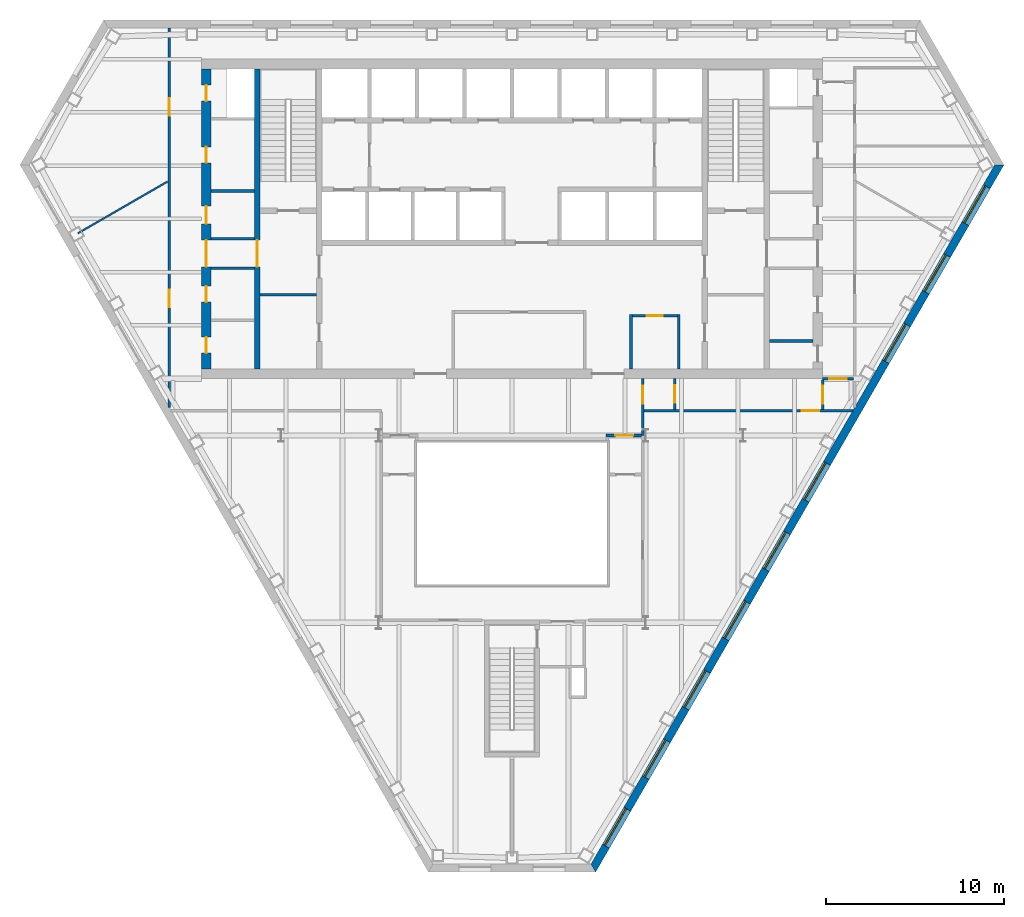
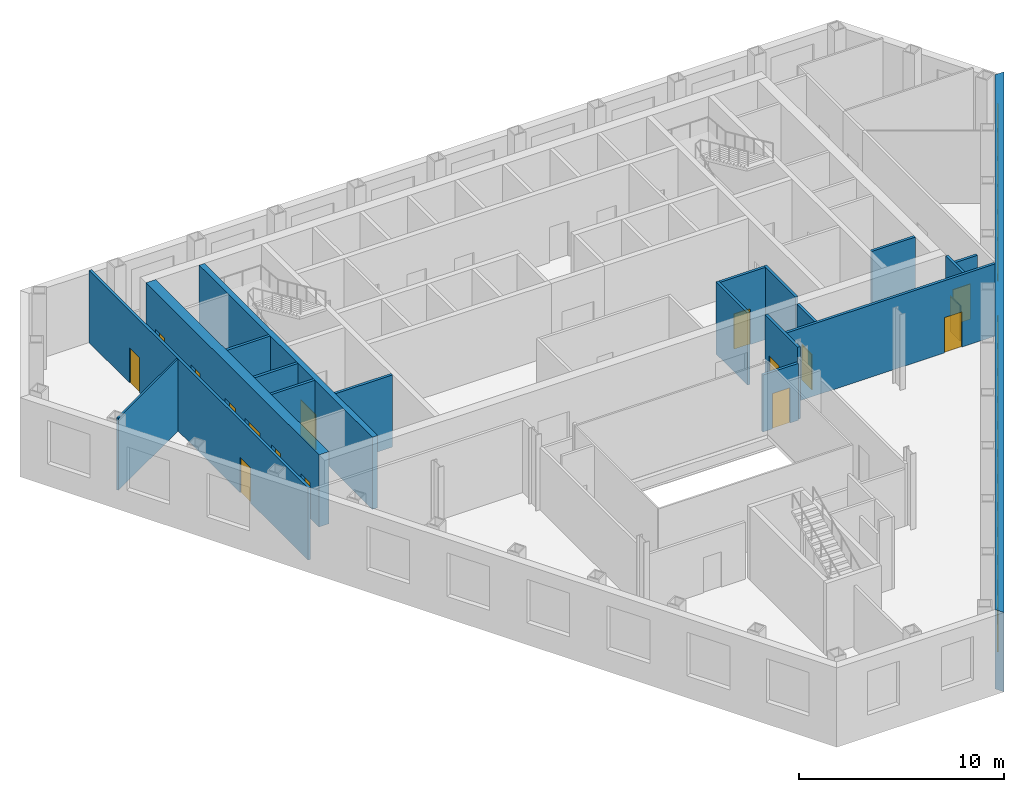
# One storey, part 5 of 11: 19 walls, 16 doors, 9 windows, 25 openings.
"""IFC4 building model written with IfcOpenShell, lengths in metres."""

import ifcopenshell
import ifcopenshell.guid

model = None  # the IFC model being written
_history = None  # IfcOwnerHistory: only IFC2X3 demands one
_inside = {}  # id of a spatial element -> (the spatial element, [elements in it])
_under = {}  # id of a project, library or spatial element -> (it, [spatial elements below it])
_declared = {}  # id of a project -> (the project, [libraries it declares])
_typed = {}  # id of a type object -> (the type object, [elements of that type])
_made_of = {}  # id of a material, layer set ... -> (it, [elements and type objects made of it])


def new_model(schema):
    """Start an empty IFC model of exactly this schema.

    Asked for "IFC4X3", IfcOpenShell would pick the latest addendum, in which some entities
    have other attributes; the version numbers below select the first issue.
    IFC2X3 requires an IfcOwnerHistory on every rooted entity: one is made here for all.
    """
    global model, _history
    if schema == "IFC4X3":
        model = ifcopenshell.file(schema_version=(4, 3, 0, 0))
    else:
        model = ifcopenshell.file(schema=schema)
    _inside.clear()
    _under.clear()
    _declared.clear()
    _typed.clear()
    _made_of.clear()
    _history = None
    if model.schema == "IFC2X3":
        org = make("IfcOrganization", Name="unknown")
        user = make(
            "IfcPersonAndOrganization",
            ThePerson=make("IfcPerson", FamilyName="unknown"),
            TheOrganization=org,
        )
        app = make(
            "IfcApplication",
            ApplicationDeveloper=org,
            Version="unknown",
            ApplicationFullName="unknown",
            ApplicationIdentifier="unknown",
        )
        _history = make(
            "IfcOwnerHistory",
            OwningUser=user,
            OwningApplication=app,
            ChangeAction="ADDED",
            CreationDate=0,
        )
    return model


def make(cls, **values):
    """One entity of the class cls with the attributes given. An attribute that is None is left unset."""
    return model.create_entity(
        cls, **{name: value for name, value in values.items() if value is not None}
    )


def rooted(cls, **values):
    """An entity with a GlobalId (a new one), such as an element, a storey or a relation."""
    return make(cls, GlobalId=ifcopenshell.guid.new(), OwnerHistory=_history, **values)


def si_unit(unit_type, name, prefix=None):
    """IfcSIUnit, for example si_unit("LENGTHUNIT", "METRE", prefix="MILLI")."""
    return make("IfcSIUnit", UnitType=unit_type, Prefix=prefix, Name=name)


def assignment(units):
    """IfcUnitAssignment: the units of a project."""
    return None if units is None else make("IfcUnitAssignment", Units=units)


def point(xyz):
    """IfcCartesianPoint."""
    return None if xyz is None else make("IfcCartesianPoint", Coordinates=xyz)


def direction(xyz):
    """IfcDirection."""
    return None if xyz is None else make("IfcDirection", DirectionRatios=xyz)


def frame(location, z_axis=None, x_axis=None):
    """IfcAxis2Placement3D, a coordinate frame: its origin and axes. An axis left out is left unset."""
    return make(
        "IfcAxis2Placement3D",
        Location=point(location),
        Axis=direction(z_axis),
        RefDirection=direction(x_axis),
    )


def frame_2d(location, x_axis=None):
    """IfcAxis2Placement2D, a coordinate frame in the plane: its origin and x axis."""
    return make(
        "IfcAxis2Placement2D", Location=point(location), RefDirection=direction(x_axis)
    )


def origin():
    """The frame at (0, 0, 0) with its axes left unset."""
    return frame((0.0, 0.0, 0.0))


def place(relative_to, where):
    """IfcLocalPlacement: puts the frame where relative to a parent placement (None: the world)."""
    return make(
        "IfcLocalPlacement", PlacementRelTo=relative_to, RelativePlacement=where
    )


def context(
    kind, dimensions, precision=None, world=None, true_north=None, identifier=None
):
    """IfcGeometricRepresentationContext, for example the 3D "Model" context."""
    return make(
        "IfcGeometricRepresentationContext",
        ContextIdentifier=identifier,
        ContextType=kind,
        CoordinateSpaceDimension=dimensions,
        Precision=precision,
        WorldCoordinateSystem=world,
        TrueNorth=true_north,
    )


def subcontext(parent, identifier, kind, view, scale=None):
    """IfcGeometricRepresentationSubContext, for example "Body" below "Model"."""
    return make(
        "IfcGeometricRepresentationSubContext",
        ContextIdentifier=identifier,
        ContextType=kind,
        ParentContext=parent,
        TargetScale=scale,
        TargetView=view,
    )


def project(units=None, contexts=None):
    """IfcProject with its units and contexts."""
    return rooted(
        "IfcProject",
        Name="project",
        RepresentationContexts=contexts,
        UnitsInContext=assignment(units),
    )


def spatial(cls, under=None, at=None, **own):
    """A site, building, storey or space (cls), placed at a placement, below another one or the project."""
    s = rooted(cls, ObjectPlacement=at, **own)
    if under is not None:
        _under.setdefault(under.id(), (under, []))[1].append(s)
    return s


def polyline(points):
    """IfcPolyline through the points."""
    return make("IfcPolyline", Points=[point(p) for p in points])


def profile(cls, at=None, kind="AREA", **sizes):
    """A parametric profile (cls). Its sizes go by their IFC names, for example OverallWidth=200.0."""
    return make(cls, ProfileType=kind, Position=at, **sizes)


def rectangle(**sizes):
    """IfcRectangleProfileDef."""
    return profile("IfcRectangleProfileDef", **sizes)


def outline(outer, holes=None, kind="AREA"):
    """IfcArbitraryClosedProfileDef: a profile drawn as a closed curve; with holes, ...WithVoids."""
    if holes is None:
        return make("IfcArbitraryClosedProfileDef", ProfileType=kind, OuterCurve=outer)
    return make(
        "IfcArbitraryProfileDefWithVoids",
        ProfileType=kind,
        OuterCurve=outer,
        InnerCurves=holes,
    )


def extrude(swept, where, along, depth):
    """IfcExtrudedAreaSolid: the profile swept, set in the frame where, extruded along a direction by depth."""
    return make(
        "IfcExtrudedAreaSolid",
        SweptArea=swept,
        Position=where,
        ExtrudedDirection=direction(along),
        Depth=depth,
    )


def shape(context_of_items, identifier, shape_type, items):
    """IfcShapeRepresentation: the items that make up one representation, for example the "Body"."""
    return make(
        "IfcShapeRepresentation",
        ContextOfItems=context_of_items,
        RepresentationIdentifier=identifier,
        RepresentationType=shape_type,
        Items=items,
    )


def material(Name=None, Category=None):
    """IfcMaterial."""
    return make("IfcMaterial", Name=Name, Category=Category)


def layer(
    of_material, thickness, ventilated=None, Name=None, Category=None, Priority=None
):
    """IfcMaterialLayer: one layer of a wall or slab, of a material (None: an air gap)."""
    return make(
        "IfcMaterialLayer",
        Material=of_material,
        LayerThickness=thickness,
        IsVentilated=ventilated,
        Name=Name,
        Category=Category,
        Priority=Priority,
    )


def layer_set(layers, Name=None):
    """IfcMaterialLayerSet."""
    return make("IfcMaterialLayerSet", MaterialLayers=layers, LayerSetName=Name)


def made_of(thing, what):
    """Note that an element or type object is made of a material, layer set ...; save() writes the relation."""
    if what is not None:
        _made_of.setdefault(what.id(), (what, []))[1].append(thing)
    return thing


def type_object(cls, material=None, **own):
    """A type object (cls), such as IfcWallType, which elements share."""
    return made_of(rooted(cls, **own), material)


def element(
    cls,
    number,
    at=None,
    inside=None,
    cuts=None,
    type_object=None,
    material=None,
    context=None,
    identifier="Body",
    shape_type=None,
    held_by="IfcProductDefinitionShape",
    body=None,
    shapes=None,
    **own,
):
    """One element of the class cls, such as IfcWall. Its Tag is "e" and its number.

    at: its placement. inside: the storey or other place that contains it. cuts: it is an
    opening in that element (IfcRelVoidsElement). A single representation is given by context,
    identifier, shape_type and body (its items); several are given by shapes. held_by: the class
    of the entity that holds the representations. save() writes the other relations.
    """
    e = rooted(cls, Tag="e%d" % number, ObjectPlacement=at, **own)
    if body is not None:
        shapes = [shape(context, identifier, shape_type, body)]
    if shapes is not None:
        e.Representation = make(held_by, Representations=shapes)
    if inside is not None:
        _inside.setdefault(inside.id(), (inside, []))[1].append(e)
    if cuts is not None:
        rooted(
            "IfcRelVoidsElement", RelatingBuildingElement=cuts, RelatedOpeningElement=e
        )
    if type_object is not None:
        _typed.setdefault(type_object.id(), (type_object, []))[1].append(e)
    return made_of(e, material)


def fill(opening, filler):
    """IfcRelFillsElement: the door or window that sits in an opening."""
    return rooted(
        "IfcRelFillsElement",
        RelatingOpeningElement=opening,
        RelatedBuildingElement=filler,
    )


def aggregate(whole, parts):
    """IfcRelAggregates: a whole, such as a stair, and the parts it consists of."""
    return rooted("IfcRelAggregates", RelatingObject=whole, RelatedObjects=parts)


def save(model, path):
    """Write the relations noted so far, then the file.

    IfcRelAggregates (storeys below a building ...), IfcRelContainedInSpatialStructure (elements
    in a storey), IfcRelDefinesByType, IfcRelAssociatesMaterial and IfcRelDeclares: one each for
    every whole, place, type object, material and project.
    """
    for whole, parts in _under.values():
        aggregate(whole, parts)
    for where, things in _inside.values():
        rooted(
            "IfcRelContainedInSpatialStructure",
            RelatedElements=things,
            RelatingStructure=where,
        )
    for kind, things in _typed.values():
        rooted("IfcRelDefinesByType", RelatedObjects=things, RelatingType=kind)
    for what, things in _made_of.values():
        rooted("IfcRelAssociatesMaterial", RelatedObjects=things, RelatingMaterial=what)
    for by, libraries in _declared.values():
        rooted("IfcRelDeclares", RelatingContext=by, RelatedDefinitions=libraries)
    model.write(path)


model = new_model("IFC4")

# Units and contexts
model_context = context("Model", 3, precision=1e-05, world=origin(), true_north=direction((0.0, 1.0)))
body_context = subcontext(model_context, "Body", "Model", "MODEL_VIEW")
ifc_project = project(units=[si_unit("LENGTHUNIT", "METRE"), si_unit("AREAUNIT", "SQUARE_METRE"), si_unit("VOLUMEUNIT", "CUBIC_METRE"), si_unit("PLANEANGLEUNIT", "RADIAN"), si_unit("MASSUNIT", "GRAM", prefix="KILO")], contexts=[model_context])

# Site, building, storey
site_placement = place(None, origin())
site = spatial("IfcSite", under=ifc_project, at=site_placement, CompositionType="ELEMENT")
building_placement = place(site_placement, origin())
building = spatial("IfcBuilding", under=site, at=building_placement, Name="Njiva Tower", CompositionType="ELEMENT")
storey_placement = place(building_placement, frame((0.0, 0.0, 129.3)))
storey = spatial("IfcBuildingStorey", under=building, at=storey_placement, Name="L27", CompositionType="ELEMENT", Elevation=129.3)

# Walls
ifc_material_1 = material(Name="Blockwork", Category="masonry")
ifc_layer_1 = layer(ifc_material_1, 0.15)
ifc_layer_set_1 = layer_set([ifc_layer_1], Name="Blockwork")
wall_type_1 = type_object("IfcWallType", Name="WT1 Compartment partition 150", PredefinedType="PARTITIONING", material=ifc_layer_set_1)
wall_1_placement = place(storey_placement, frame((-14.2, 4.725, 0.0), z_axis=(0.0, 0.0, 1.0), x_axis=(1.0, 0.0, 0.0)))
element("IfcWall", 1, at=wall_1_placement, inside=storey, type_object=wall_type_1, Name="Room wall A", PredefinedType="PARTITIONING", context=body_context, shape_type="SweptSolid", body=[
    extrude(rectangle(XDim=3.2, YDim=0.15, at=frame_2d((1.6, 0.0))), origin(), (0.0, 0.0, 1.0), 4.3),
])
for number, where, z_axis, x_axis, name in (
    (2, (-16.95, 10.5697, 0.0), (0.0, 0.0, 1.0), (1.0, 0.0, 0.0), "Partition strip W10"),
    (3, (14.5, 2.125, 0.0), (0.0, 0.0, 1.0), (1.0, 0.0, 0.0), "Partition strip E00"),
):
    element("IfcWall", number, at=place(storey_placement, frame(where, z_axis=z_axis, x_axis=x_axis)), inside=storey, type_object=wall_type_1, Name=name, PredefinedType="PARTITIONING", context=body_context, shape_type="SweptSolid", body=[
        extrude(rectangle(XDim=2.45, YDim=0.15, at=frame_2d((1.225, 0.0))), origin(), (0.0, 0.0, 1.0), 4.3),
    ])
for number, where, z_axis, x_axis, name in (
    (4, (6.7, 0.55, 0.0), (0.0, 0.0, 1.0), (0.0, 1.0, 0.0), "Tenant reception wall west"),
    (5, (9.4, 0.55, 0.0), (0.0, 0.0, 1.0), (0.0, 1.0, 0.0), "Tenant reception wall east"),
):
    element("IfcWall", number, at=place(storey_placement, frame(where, z_axis=z_axis, x_axis=x_axis)), inside=storey, type_object=wall_type_1, Name=name, PredefinedType="PARTITIONING", context=body_context, shape_type="SweptSolid", body=[
        extrude(rectangle(XDim=3.075, YDim=0.15, at=frame_2d((1.5375, 0.0))), origin(), (0.0, 0.0, 1.0), 4.3),
    ])

# Wall, opening, door
wall_2_placement = place(storey_placement, frame((6.775, 3.55, 0.0), z_axis=(0.0, 0.0, 1.0), x_axis=(1.0, 0.0, 0.0)))
wall_2 = element("IfcWall", 6, at=wall_2_placement, inside=storey, type_object=wall_type_1, Name="Tenant reception wall north", PredefinedType="PARTITIONING", context=body_context, shape_type="SweptSolid", body=[
    extrude(rectangle(XDim=2.55, YDim=0.15, at=frame_2d((1.275, 0.0))), origin(), (0.0, 0.0, 1.0), 4.3),
])
opening_1_placement = place(wall_2_placement, frame((0.825, 0.0, 0.0)))
opening_1 = element("IfcOpeningElement", 7, at=opening_1_placement, cuts=wall_2, Name="Opening S09-D935", PredefinedType="OPENING", context=body_context, shape_type="SweptSolid", body=[
    extrude(rectangle(XDim=0.9, YDim=2.1, at=frame_2d((0.45, 1.05))), frame((0.0, 0.085, 0.0), z_axis=(0.0, -1.0, 0.0), x_axis=(1.0, 0.0, 0.0)), (0.0, 0.0, 1.0), 0.17),
])
ifc_material_2 = material(Name="Steel fire door, painted", Category="steel")
door_type_1 = type_object("IfcDoorType", Name="D6 Fire-rated door 900x2100", OperationType="SINGLE_SWING_LEFT", PredefinedType="DOOR", material=ifc_material_2)
door_1_placement = place(opening_1_placement, origin())
door_1 = element("IfcDoor", 8, at=door_1_placement, inside=storey, type_object=door_type_1, Name="Tenant reception door", OperationType="SINGLE_SWING_RIGHT", OverallHeight=2.1, OverallWidth=0.9, PredefinedType="DOOR", context=body_context, shape_type="SweptSolid", body=[
    extrude(rectangle(XDim=0.9, YDim=2.1, at=frame_2d((0.45, 1.05))), frame((0.0, 0.025, 0.0), z_axis=(0.0, -1.0, 0.0), x_axis=(1.0, 0.0, 0.0)), (0.0, 0.0, 1.0), 0.05),
])
fill(opening_1, door_1)

ifc_material_3 = material(Name="Concrete C40/50", Category="concrete")
ifc_layer_2 = layer(ifc_material_3, 0.3)
ifc_layer_set_2 = layer_set([ifc_layer_2], Name="Concrete C40/50")
wall_type_2 = type_object("IfcWallType", Name="WT10 Stair enclosure wall 300", PredefinedType="SHEAR", material=ifc_layer_set_2)
wall_3_placement = place(storey_placement, frame((-14.35, 0.55, 0.0), z_axis=(0.0, 0.0, 1.0), x_axis=(0.0, 1.0, 0.0)))
wall_3 = element("IfcWall", 9, at=wall_3_placement, inside=storey, type_object=wall_type_2, Name="Stair wall west outer", PredefinedType="SHEAR", context=body_context, shape_type="SweptSolid", body=[
    extrude(rectangle(XDim=16.9, YDim=0.3, at=frame_2d((8.45, 0.0))), origin(), (0.0, 0.0, 1.0), 4.3),
])
opening_2_placement = place(wall_3_placement, frame((5.75, 0.0, 0.0)))
opening_2 = element("IfcOpeningElement", 10, at=opening_2_placement, cuts=wall_3, Name="Opening S09-D920", PredefinedType="OPENING", context=body_context, shape_type="SweptSolid", body=[
    extrude(rectangle(XDim=1.5, YDim=2.1, at=frame_2d((0.75, 1.05))), frame((0.0, 0.16, 0.0), z_axis=(0.0, -1.0, 0.0), x_axis=(1.0, 0.0, 0.0)), (0.0, 0.0, 1.0), 0.32),
])
ifc_material_4 = material(Name="Glazed steel fire door", Category="steel")
door_type_2 = type_object("IfcDoorType", Name="D10 Exit door double 1500x2100 glazed", OperationType="DOUBLE_DOOR_SINGLE_SWING", PredefinedType="DOOR", material=ifc_material_4)
door_2_placement = place(opening_2_placement, origin())
door_2 = element("IfcDoor", 11, at=door_2_placement, inside=storey, type_object=door_type_2, Name="Stair A passage door", OperationType="DOUBLE_DOOR_SINGLE_SWING", OverallHeight=2.1, OverallWidth=1.5, PredefinedType="DOOR", context=body_context, shape_type="SweptSolid", body=[
    extrude(rectangle(XDim=1.5, YDim=2.1, at=frame_2d((0.75, 1.05))), frame((0.0, 0.025, 0.0), z_axis=(0.0, -1.0, 0.0), x_axis=(1.0, 0.0, 0.0)), (0.0, 0.0, 1.0), 0.05),
])
fill(opening_2, door_2)

# Wall, openings, doors
ifc_material_5 = material(Name="Concrete C60/75", Category="concrete")
ifc_layer_3 = layer(ifc_material_5, 0.55)
ifc_layer_set_3 = layer_set([ifc_layer_3], Name="Concrete C60/75")
wall_type_3 = type_object("IfcWallType", Name="WT14 Core wall 550", PredefinedType="SHEAR", material=ifc_layer_set_3)
wall_4_placement = place(storey_placement, frame((-17.225, 0.55, 0.0), z_axis=(0.0, 0.0, 1.0), x_axis=(0.0, 1.0, 0.0)))
wall_4 = element("IfcWall", 12, at=wall_4_placement, inside=storey, type_object=wall_type_3, Name="Core wall west", PredefinedType="SHEAR", context=body_context, shape_type="SweptSolid", body=[
    extrude(rectangle(XDim=16.9, YDim=0.55, at=frame_2d((8.45, 0.0))), origin(), (0.0, 0.0, 1.0), 4.3),
])
opening_3_placement = place(wall_4_placement, frame((5.75, 0.0, 0.0)))
opening_3 = element("IfcOpeningElement", 13, at=opening_3_placement, cuts=wall_4, Name="Opening S09-D921", PredefinedType="OPENING", context=body_context, shape_type="SweptSolid", body=[
    extrude(rectangle(XDim=1.5, YDim=2.1, at=frame_2d((0.75, 1.05))), frame((0.0, 0.285, 0.0), z_axis=(0.0, -1.0, 0.0), x_axis=(1.0, 0.0, 0.0)), (0.0, 0.0, 1.0), 0.57),
])
opening_4_placement = place(wall_4_placement, frame((0.8868, 0.0, 0.0)))
opening_4 = element("IfcOpeningElement", 14, at=opening_4_placement, cuts=wall_4, Name="Opening S09-D922", PredefinedType="OPENING", context=body_context, shape_type="SweptSolid", body=[
    extrude(rectangle(XDim=0.9, YDim=2.1, at=frame_2d((0.45, 1.05))), frame((0.0, 0.285, 0.0), z_axis=(0.0, -1.0, 0.0), x_axis=(1.0, 0.0, 0.0)), (0.0, 0.0, 1.0), 0.57),
])
opening_5_placement = place(wall_4_placement, frame((3.7618, 0.0, 0.0)))
opening_5 = element("IfcOpeningElement", 15, at=opening_5_placement, cuts=wall_4, Name="Opening S09-D923", PredefinedType="OPENING", context=body_context, shape_type="SweptSolid", body=[
    extrude(rectangle(XDim=0.9, YDim=2.1, at=frame_2d((0.45, 1.05))), frame((0.0, 0.285, 0.0), z_axis=(0.0, -1.0, 0.0), x_axis=(1.0, 0.0, 0.0)), (0.0, 0.0, 1.0), 0.57),
])
opening_6_placement = place(wall_4_placement, frame((8.1723, 0.0, 0.0)))
opening_6 = element("IfcOpeningElement", 16, at=opening_6_placement, cuts=wall_4, Name="Opening S09-D924", PredefinedType="OPENING", context=body_context, shape_type="SweptSolid", body=[
    extrude(rectangle(XDim=1.0, YDim=2.1, at=frame_2d((0.5, 1.05))), frame((0.0, 0.285, 0.0), z_axis=(0.0, -1.0, 0.0), x_axis=(1.0, 0.0, 0.0)), (0.0, 0.0, 1.0), 0.57),
])
opening_7_placement = place(wall_4_placement, frame((11.6021, 0.0, 0.0)))
opening_7 = element("IfcOpeningElement", 17, at=opening_7_placement, cuts=wall_4, Name="Opening S09-D925", PredefinedType="OPENING", context=body_context, shape_type="SweptSolid", body=[
    extrude(rectangle(XDim=0.9, YDim=2.1, at=frame_2d((0.45, 1.05))), frame((0.0, 0.285, 0.0), z_axis=(0.0, -1.0, 0.0), x_axis=(1.0, 0.0, 0.0)), (0.0, 0.0, 1.0), 0.57),
])
opening_8_placement = place(wall_4_placement, frame((15.0798, 0.0, 0.0)))
opening_8 = element("IfcOpeningElement", 18, at=opening_8_placement, cuts=wall_4, Name="Opening S09-D926", PredefinedType="OPENING", context=body_context, shape_type="SweptSolid", body=[
    extrude(rectangle(XDim=0.9, YDim=2.1, at=frame_2d((0.45, 1.05))), frame((0.0, 0.285, 0.0), z_axis=(0.0, -1.0, 0.0), x_axis=(1.0, 0.0, 0.0)), (0.0, 0.0, 1.0), 0.57),
])
door_3_placement = place(opening_3_placement, origin())
door_3 = element("IfcDoor", 19, at=door_3_placement, inside=storey, type_object=door_type_2, Name="Stair A corridor door", OperationType="DOUBLE_DOOR_SINGLE_SWING", OverallHeight=2.1, OverallWidth=1.5, PredefinedType="DOOR", context=body_context, shape_type="SweptSolid", body=[
    extrude(rectangle(XDim=1.5, YDim=2.1, at=frame_2d((0.75, 1.05))), frame((0.0, 0.025, 0.0), z_axis=(0.0, -1.0, 0.0), x_axis=(1.0, 0.0, 0.0)), (0.0, 0.0, 1.0), 0.05),
])
fill(opening_3, door_3)
ifc_material_6 = material(Name="Steel door, painted", Category="steel")
door_type_3 = type_object("IfcDoorType", Name="D4 Riser door 900x2100", OperationType="SINGLE_SWING_LEFT", PredefinedType="DOOR", material=ifc_material_6)
door_4_placement = place(opening_8_placement, origin())
door_4 = element("IfcDoor", 20, at=door_4_placement, inside=storey, type_object=door_type_3, Name="Riser door", OperationType="SINGLE_SWING_LEFT", OverallHeight=2.1, OverallWidth=0.9, PredefinedType="DOOR", context=body_context, shape_type="SweptSolid", body=[
    extrude(rectangle(XDim=0.9, YDim=2.1, at=frame_2d((0.45, 1.05))), frame((0.0, 0.025, 0.0), z_axis=(0.0, -1.0, 0.0), x_axis=(1.0, 0.0, 0.0)), (0.0, 0.0, 1.0), 0.05),
])
fill(opening_8, door_4)
door_type_4 = type_object("IfcDoorType", Name="D5 Steel door 1000x2100", OperationType="SINGLE_SWING_LEFT", PredefinedType="DOOR", material=ifc_material_6)
door_5_placement = place(opening_6_placement, origin())
door_5 = element("IfcDoor", 21, at=door_5_placement, inside=storey, type_object=door_type_4, Name="Telecoms room door", OperationType="SINGLE_SWING_RIGHT", OverallHeight=2.1, OverallWidth=1.0, PredefinedType="DOOR", context=body_context, shape_type="SweptSolid", body=[
    extrude(rectangle(XDim=1.0, YDim=2.1, at=frame_2d((0.5, 1.05))), frame((0.0, 0.025, 0.0), z_axis=(0.0, -1.0, 0.0), x_axis=(1.0, 0.0, 0.0)), (0.0, 0.0, 1.0), 0.05),
])
fill(opening_6, door_5)
door_6_placement = place(opening_4_placement, origin())
door_6 = element("IfcDoor", 22, at=door_6_placement, inside=storey, type_object=door_type_1, Name="Meeting room door", OperationType="SINGLE_SWING_LEFT", OverallHeight=2.1, OverallWidth=0.9, PredefinedType="DOOR", context=body_context, shape_type="SweptSolid", body=[
    extrude(rectangle(XDim=0.9, YDim=2.1, at=frame_2d((0.45, 1.05))), frame((0.0, 0.025, 0.0), z_axis=(0.0, -1.0, 0.0), x_axis=(1.0, 0.0, 0.0)), (0.0, 0.0, 1.0), 0.05),
])
fill(opening_4, door_6)
door_7_placement = place(opening_5_placement, origin())
door_7 = element("IfcDoor", 23, at=door_7_placement, inside=storey, type_object=door_type_1, Name="Breakout room door", OperationType="SINGLE_SWING_LEFT", OverallHeight=2.1, OverallWidth=0.9, PredefinedType="DOOR", context=body_context, shape_type="SweptSolid", body=[
    extrude(rectangle(XDim=0.9, YDim=2.1, at=frame_2d((0.45, 1.05))), frame((0.0, 0.025, 0.0), z_axis=(0.0, -1.0, 0.0), x_axis=(1.0, 0.0, 0.0)), (0.0, 0.0, 1.0), 0.05),
])
fill(opening_5, door_7)
door_8_placement = place(opening_7_placement, origin())
door_8 = element("IfcDoor", 24, at=door_8_placement, inside=storey, type_object=door_type_1, Name="Quiet room door", OperationType="SINGLE_SWING_RIGHT", OverallHeight=2.1, OverallWidth=0.9, PredefinedType="DOOR", context=body_context, shape_type="SweptSolid", body=[
    extrude(rectangle(XDim=0.9, YDim=2.1, at=frame_2d((0.45, 1.05))), frame((0.0, 0.025, 0.0), z_axis=(0.0, -1.0, 0.0), x_axis=(1.0, 0.0, 0.0)), (0.0, 0.0, 1.0), 0.05),
])
fill(opening_7, door_8)

# Wall
ifc_material_7 = material(Name="Gypsum board on steel studs", Category="gypsum")
ifc_layer_4 = layer(ifc_material_7, 0.1)
ifc_layer_set_4 = layer_set([ifc_layer_4], Name="Gypsum board on steel studs")
wall_type_4 = type_object("IfcWallType", Name="WT20 Gypsum partition 100", PredefinedType="PARTITIONING", material=ifc_layer_set_4)
wall_5_placement = place(storey_placement, frame((-24.446, 8.189, 0.0), z_axis=(0.0, 0.0, 1.0), x_axis=(0.866122712398, 0.499831418649, 0.0)))
element("IfcWall", 25, at=wall_5_placement, inside=storey, type_object=wall_type_4, Name="Partition S09-P001", PredefinedType="PARTITIONING", context=body_context, shape_type="SweptSolid", body=[
    extrude(rectangle(XDim=5.826, YDim=0.1, at=frame_2d((2.913, 0.0))), origin(), (0.0, 0.0, 1.0), 4.3),
])

# Wall, openings, doors
ifc_layer_5 = layer(ifc_material_7, 0.15)
ifc_layer_set_5 = layer_set([ifc_layer_5], Name="Gypsum board on steel studs")
wall_type_5 = type_object("IfcWallType", Name="WT21 Compartment wall 150", PredefinedType="PARTITIONING", material=ifc_layer_set_5)
wall_6_placement = place(storey_placement, frame((-19.3, -1.624, 0.0), z_axis=(0.0, 0.0, 1.0), x_axis=(0.0, 1.0, 0.0)))
wall_6 = element("IfcWall", 26, at=wall_6_placement, inside=storey, type_object=wall_type_5, Name="Partition S09-P002", PredefinedType="PARTITIONING", context=body_context, shape_type="SweptSolid", body=[
    extrude(rectangle(XDim=21.371, YDim=0.15, at=frame_2d((10.6855, 0.0))), origin(), (0.0, 0.0, 1.0), 4.3),
])
opening_9_placement = place(wall_6_placement, frame((5.64, 0.0, 0.0)))
opening_9 = element("IfcOpeningElement", 27, at=opening_9_placement, cuts=wall_6, Name="Opening S09-D001", PredefinedType="OPENING", context=body_context, shape_type="SweptSolid", body=[
    extrude(rectangle(XDim=1.0, YDim=2.1, at=frame_2d((0.5, 1.05))), frame((0.0, 0.085, 0.0), z_axis=(0.0, -1.0, 0.0), x_axis=(1.0, 0.0, 0.0)), (0.0, 0.0, 1.0), 0.17),
])
opening_10_placement = place(wall_6_placement, frame((16.425, 0.0, 0.0)))
opening_10 = element("IfcOpeningElement", 28, at=opening_10_placement, cuts=wall_6, Name="Opening S09-D002", PredefinedType="OPENING", context=body_context, shape_type="SweptSolid", body=[
    extrude(rectangle(XDim=1.0, YDim=2.1, at=frame_2d((0.5, 1.05))), frame((0.0, 0.085, 0.0), z_axis=(0.0, -1.0, 0.0), x_axis=(1.0, 0.0, 0.0)), (0.0, 0.0, 1.0), 0.17),
])
ifc_material_8 = material(Name="Steel fire door set", Category="steel")
door_type_5 = type_object("IfcDoorType", Name="D37 Fire door 1000x2100", OperationType="SINGLE_SWING_LEFT", PredefinedType="DOOR", material=ifc_material_8)
door_9_placement = place(opening_9_placement, origin())
door_9 = element("IfcDoor", 29, at=door_9_placement, inside=storey, type_object=door_type_5, Name="Door S09-D001", OperationType="SINGLE_SWING_RIGHT", OverallHeight=2.1, OverallWidth=1.0, PredefinedType="DOOR", context=body_context, shape_type="SweptSolid", body=[
    extrude(rectangle(XDim=1.0, YDim=2.1, at=frame_2d((0.5, 1.05))), frame((0.0, 0.025, 0.0), z_axis=(0.0, -1.0, 0.0), x_axis=(1.0, 0.0, 0.0)), (0.0, 0.0, 1.0), 0.05),
])
fill(opening_9, door_9)
door_10_placement = place(opening_10_placement, origin())
door_10 = element("IfcDoor", 30, at=door_10_placement, inside=storey, type_object=door_type_5, Name="Door S09-D002", OperationType="SINGLE_SWING_LEFT", OverallHeight=2.1, OverallWidth=1.0, PredefinedType="DOOR", context=body_context, shape_type="SweptSolid", body=[
    extrude(rectangle(XDim=1.0, YDim=2.1, at=frame_2d((0.5, 1.05))), frame((0.0, 0.025, 0.0), z_axis=(0.0, -1.0, 0.0), x_axis=(1.0, 0.0, 0.0)), (0.0, 0.0, 1.0), 0.05),
])
fill(opening_10, door_10)

# Wall, opening, door
wall_7_placement = place(storey_placement, frame((5.285, -3.2, 0.0), z_axis=(0.0, 0.0, 1.0), x_axis=(1.0, 0.0, 0.0)))
wall_7 = element("IfcWall", 31, at=wall_7_placement, inside=storey, type_object=wall_type_5, Name="Partition S09-P011", PredefinedType="PARTITIONING", context=body_context, shape_type="SweptSolid", body=[
    extrude(rectangle(XDim=2.0, YDim=0.15, at=frame_2d((1.0, 0.0))), origin(), (0.0, 0.0, 1.0), 3.39),
])
opening_11_placement = place(wall_7_placement, frame((0.538, 0.0, 0.0)))
opening_11 = element("IfcOpeningElement", 32, at=opening_11_placement, cuts=wall_7, Name="Opening S09-D006", PredefinedType="OPENING", context=body_context, shape_type="SweptSolid", body=[
    extrude(rectangle(XDim=1.0, YDim=2.1, at=frame_2d((0.5, 1.05))), frame((0.0, 0.085, 0.0), z_axis=(0.0, -1.0, 0.0), x_axis=(1.0, 0.0, 0.0)), (0.0, 0.0, 1.0), 0.17),
])
door_11_placement = place(opening_11_placement, origin())
door_11 = element("IfcDoor", 33, at=door_11_placement, inside=storey, type_object=door_type_5, Name="Door S09-D006", OperationType="SINGLE_SWING_LEFT", OverallHeight=2.1, OverallWidth=1.0, PredefinedType="DOOR", context=body_context, shape_type="SweptSolid", body=[
    extrude(rectangle(XDim=1.0, YDim=2.1, at=frame_2d((0.5, 1.05))), frame((0.0, 0.025, 0.0), z_axis=(0.0, -1.0, 0.0), x_axis=(1.0, 0.0, 0.0)), (0.0, 0.0, 1.0), 0.05),
])
fill(opening_11, door_11)

wall_8_placement = place(storey_placement, frame((7.36, -3.2, 0.0), z_axis=(0.0, 0.0, 1.0), x_axis=(0.0, 1.0, 0.0)))
wall_8 = element("IfcWall", 34, at=wall_8_placement, inside=storey, type_object=wall_type_5, Name="Partition S09-P014A", PredefinedType="PARTITIONING", context=body_context, shape_type="SweptSolid", body=[
    extrude(rectangle(XDim=3.2, YDim=0.15, at=frame_2d((1.6, 0.0))), origin(), (0.0, 0.0, 1.0), 4.3),
])
opening_12_placement = place(wall_8_placement, frame((1.8, 0.0, 0.0)))
opening_12 = element("IfcOpeningElement", 35, at=opening_12_placement, cuts=wall_8, Name="Opening S09-D009", PredefinedType="OPENING", context=body_context, shape_type="SweptSolid", body=[
    extrude(rectangle(XDim=1.0, YDim=2.1, at=frame_2d((0.5, 1.05))), frame((0.0, 0.085, 0.0), z_axis=(0.0, -1.0, 0.0), x_axis=(1.0, 0.0, 0.0)), (0.0, 0.0, 1.0), 0.17),
])
door_12_placement = place(opening_12_placement, origin())
door_12 = element("IfcDoor", 36, at=door_12_placement, inside=storey, type_object=door_type_5, Name="Door S09-D009", OperationType="SINGLE_SWING_RIGHT", OverallHeight=2.1, OverallWidth=1.0, PredefinedType="DOOR", context=body_context, shape_type="SweptSolid", body=[
    extrude(rectangle(XDim=1.0, YDim=2.1, at=frame_2d((0.5, 1.05))), frame((0.0, 0.025, 0.0), z_axis=(0.0, -1.0, 0.0), x_axis=(1.0, 0.0, 0.0)), (0.0, 0.0, 1.0), 0.05),
])
fill(opening_12, door_12)

wall_9_placement = place(storey_placement, frame((7.435, -1.8, 0.0), z_axis=(0.0, 0.0, 1.0), x_axis=(1.0, 0.0, 0.0)))
wall_9 = element("IfcWall", 37, at=wall_9_placement, inside=storey, type_object=wall_type_5, Name="Partition S09-P015", PredefinedType="PARTITIONING", context=body_context, shape_type="SweptSolid", body=[
    extrude(rectangle(XDim=11.763, YDim=0.15, at=frame_2d((5.8815, 0.0))), origin(), (0.0, 0.0, 1.0), 4.3),
])
opening_13_placement = place(wall_9_placement, frame((8.877, 0.0, 0.0)))
opening_13 = element("IfcOpeningElement", 38, at=opening_13_placement, cuts=wall_9, Name="Opening S09-D010", PredefinedType="OPENING", context=body_context, shape_type="SweptSolid", body=[
    extrude(rectangle(XDim=1.0, YDim=2.1, at=frame_2d((0.5, 1.05))), frame((0.0, 0.085, 0.0), z_axis=(0.0, -1.0, 0.0), x_axis=(1.0, 0.0, 0.0)), (0.0, 0.0, 1.0), 0.17),
])
door_13_placement = place(opening_13_placement, origin())
door_13 = element("IfcDoor", 39, at=door_13_placement, inside=storey, type_object=door_type_5, Name="Door S09-D010", OperationType="SINGLE_SWING_LEFT", OverallHeight=2.1, OverallWidth=1.0, PredefinedType="DOOR", context=body_context, shape_type="SweptSolid", body=[
    extrude(rectangle(XDim=1.0, YDim=2.1, at=frame_2d((0.5, 1.05))), frame((0.0, 0.025, 0.0), z_axis=(0.0, -1.0, 0.0), x_axis=(1.0, 0.0, 0.0)), (0.0, 0.0, 1.0), 0.05),
])
fill(opening_13, door_13)

wall_10_placement = place(storey_placement, frame((9.16, -1.725, 0.0), z_axis=(0.0, 0.0, 1.0), x_axis=(0.0, 1.0, 0.0)))
wall_10 = element("IfcWall", 40, at=wall_10_placement, inside=storey, type_object=wall_type_5, Name="Partition S09-P016", PredefinedType="PARTITIONING", context=body_context, shape_type="SweptSolid", body=[
    extrude(rectangle(XDim=1.725, YDim=0.15, at=frame_2d((0.8625, 0.0))), origin(), (0.0, 0.0, 1.0), 4.3),
])
opening_14_placement = place(wall_10_placement, frame((0.363, 0.0, 0.0)))
opening_14 = element("IfcOpeningElement", 41, at=opening_14_placement, cuts=wall_10, Name="Opening S09-D011", PredefinedType="OPENING", context=body_context, shape_type="SweptSolid", body=[
    extrude(rectangle(XDim=1.0, YDim=2.1, at=frame_2d((0.5, 1.05))), frame((0.0, 0.085, 0.0), z_axis=(0.0, -1.0, 0.0), x_axis=(1.0, 0.0, 0.0)), (0.0, 0.0, 1.0), 0.17),
])
door_14_placement = place(opening_14_placement, origin())
door_14 = element("IfcDoor", 42, at=door_14_placement, inside=storey, type_object=door_type_5, Name="Door S09-D011", OperationType="SINGLE_SWING_RIGHT", OverallHeight=2.1, OverallWidth=1.0, PredefinedType="DOOR", context=body_context, shape_type="SweptSolid", body=[
    extrude(rectangle(XDim=1.0, YDim=2.1, at=frame_2d((0.5, 1.05))), frame((0.0, 0.025, 0.0), z_axis=(0.0, -1.0, 0.0), x_axis=(1.0, 0.0, 0.0)), (0.0, 0.0, 1.0), 0.05),
])
fill(opening_14, door_14)

wall_11_placement = place(storey_placement, frame((17.5, -1.725, 0.0), z_axis=(0.0, 0.0, 1.0), x_axis=(0.0, 1.0, 0.0)))
wall_11 = element("IfcWall", 43, at=wall_11_placement, inside=storey, type_object=wall_type_5, Name="Partition S09-P017", PredefinedType="PARTITIONING", context=body_context, shape_type="SweptSolid", body=[
    extrude(rectangle(XDim=1.65, YDim=0.15, at=frame_2d((0.825, 0.0))), origin(), (0.0, 0.0, 1.0), 4.3),
])
opening_15_placement = place(wall_11_placement, frame((0.325, 0.0, 0.0)))
opening_15 = element("IfcOpeningElement", 44, at=opening_15_placement, cuts=wall_11, Name="Opening S09-D012", PredefinedType="OPENING", context=body_context, shape_type="SweptSolid", body=[
    extrude(rectangle(XDim=1.0, YDim=2.1, at=frame_2d((0.5, 1.05))), frame((0.0, 0.085, 0.0), z_axis=(0.0, -1.0, 0.0), x_axis=(1.0, 0.0, 0.0)), (0.0, 0.0, 1.0), 0.17),
])
door_15_placement = place(opening_15_placement, origin())
door_15 = element("IfcDoor", 45, at=door_15_placement, inside=storey, type_object=door_type_5, Name="Door S09-D012", OperationType="SINGLE_SWING_RIGHT", OverallHeight=2.1, OverallWidth=1.0, PredefinedType="DOOR", context=body_context, shape_type="SweptSolid", body=[
    extrude(rectangle(XDim=1.0, YDim=2.1, at=frame_2d((0.5, 1.05))), frame((0.0, 0.025, 0.0), z_axis=(0.0, -1.0, 0.0), x_axis=(1.0, 0.0, 0.0)), (0.0, 0.0, 1.0), 0.05),
])
fill(opening_15, door_15)

wall_12_placement = place(storey_placement, frame((17.5, 0.0, 0.0), z_axis=(0.0, 0.0, 1.0), x_axis=(1.0, 0.0, 0.0)))
wall_12 = element("IfcWall", 46, at=wall_12_placement, inside=storey, type_object=wall_type_5, Name="Partition S09-P018", PredefinedType="PARTITIONING", context=body_context, shape_type="SweptSolid", body=[
    extrude(rectangle(XDim=1.725, YDim=0.15, at=frame_2d((0.8625, 0.0))), origin(), (0.0, 0.0, 1.0), 3.71),
])
opening_16_placement = place(wall_12_placement, frame((0.363, 0.0, 0.0)))
opening_16 = element("IfcOpeningElement", 47, at=opening_16_placement, cuts=wall_12, Name="Opening S09-D013", PredefinedType="OPENING", context=body_context, shape_type="SweptSolid", body=[
    extrude(rectangle(XDim=1.0, YDim=2.1, at=frame_2d((0.5, 1.05))), frame((0.0, 0.085, 0.0), z_axis=(0.0, -1.0, 0.0), x_axis=(1.0, 0.0, 0.0)), (0.0, 0.0, 1.0), 0.17),
])
door_16_placement = place(opening_16_placement, origin())
door_16 = element("IfcDoor", 48, at=door_16_placement, inside=storey, type_object=door_type_5, Name="Door S09-D013", OperationType="SINGLE_SWING_LEFT", OverallHeight=2.1, OverallWidth=1.0, PredefinedType="DOOR", context=body_context, shape_type="SweptSolid", body=[
    extrude(rectangle(XDim=1.0, YDim=2.1, at=frame_2d((0.5, 1.05))), frame((0.0, 0.025, 0.0), z_axis=(0.0, -1.0, 0.0), x_axis=(1.0, 0.0, 0.0)), (0.0, 0.0, 1.0), 0.05),
])
fill(opening_16, door_16)

# Walls
ifc_layer_6 = layer(ifc_material_1, 0.15)
ifc_layer_set_6 = layer_set([ifc_layer_6], Name="Blockwork")
wall_type_6 = type_object("IfcWallType", Name="WT4 Stair partition 150", PredefinedType="PARTITIONING", material=ifc_layer_set_6)
for number, where, z_axis, x_axis, name in (
    (49, (-16.95, 6.225, 0.0), (0.0, 0.0, 1.0), (1.0, 0.0, 0.0), "Stair A exit passage wall south"),
    (50, (-16.95, 7.875, 0.0), (0.0, 0.0, 1.0), (1.0, 0.0, 0.0), "Stair A exit passage wall north"),
):
    element("IfcWall", number, at=place(storey_placement, frame(where, z_axis=z_axis, x_axis=x_axis)), inside=storey, type_object=wall_type_6, Name=name, PredefinedType="PARTITIONING", context=body_context, shape_type="SweptSolid", body=[
        extrude(rectangle(XDim=2.45, YDim=0.15, at=frame_2d((1.225, 0.0))), origin(), (0.0, 0.0, 1.0), 4.3),
    ])

# Wall, openings, windows
ifc_material_9 = material(Name="Brick masonry", Category="masonry")
ifc_layer_7 = layer(ifc_material_9, 0.45)
ifc_layer_set_7 = layer_set([ifc_layer_7], Name="Brick masonry")
wall_type_7 = type_object("IfcWallType", Name="WT90 Brick pier and spandrel wall 450", PredefinedType="SOLIDWALL", material=ifc_layer_set_7)
wall_13_placement = place(storey_placement, frame((4.5801, -27.5701, -0.4), z_axis=(0.0, 0.0, 1.0), x_axis=(0.500000711659, 0.866024992908, 0.0)))
wall_13 = element("IfcWall", 51, at=wall_13_placement, inside=storey, type_object=wall_type_7, Name="Facade wall SE", PredefinedType="SOLIDWALL", context=body_context, shape_type="SweptSolid", body=[
    extrude(outline(polyline([(-0.1299, -0.225), (45.87, -0.225), (45.6102, 0.225), (0.1299, 0.225), (-0.1299, -0.225)])), origin(), (0.0, 0.0, 1.0), 4.72),
])
opening_17_placement = place(wall_13_placement, frame((1.4242, 0.0, 1.3)))
opening_17 = element("IfcOpeningElement", 52, at=opening_17_placement, cuts=wall_13, Name="Opening S09-W23", PredefinedType="OPENING", context=body_context, shape_type="SweptSolid", body=[
    extrude(rectangle(XDim=2.4, YDim=2.6, at=frame_2d((1.2, 1.3))), frame((0.0, 0.235, 0.0), z_axis=(0.0, -1.0, 0.0), x_axis=(1.0, 0.0, 0.0)), (0.0, 0.0, 1.0), 0.47),
])
opening_18_placement = place(wall_13_placement, frame((5.8934, 0.0, 1.3)))
opening_18 = element("IfcOpeningElement", 53, at=opening_18_placement, cuts=wall_13, Name="Opening S09-W24", PredefinedType="OPENING", context=body_context, shape_type="SweptSolid", body=[
    extrude(rectangle(XDim=2.4, YDim=2.6, at=frame_2d((1.2, 1.3))), frame((0.0, 0.235, 0.0), z_axis=(0.0, -1.0, 0.0), x_axis=(1.0, 0.0, 0.0)), (0.0, 0.0, 1.0), 0.47),
])
opening_19_placement = place(wall_13_placement, frame((10.401, 0.0, 1.3)))
opening_19 = element("IfcOpeningElement", 54, at=opening_19_placement, cuts=wall_13, Name="Opening S09-W25", PredefinedType="OPENING", context=body_context, shape_type="SweptSolid", body=[
    extrude(rectangle(XDim=2.4, YDim=2.6, at=frame_2d((1.2, 1.3))), frame((0.0, 0.235, 0.0), z_axis=(0.0, -1.0, 0.0), x_axis=(1.0, 0.0, 0.0)), (0.0, 0.0, 1.0), 0.47),
])
opening_20_placement = place(wall_13_placement, frame((14.9087, 0.0, 1.3)))
opening_20 = element("IfcOpeningElement", 55, at=opening_20_placement, cuts=wall_13, Name="Opening S09-W26", PredefinedType="OPENING", context=body_context, shape_type="SweptSolid", body=[
    extrude(rectangle(XDim=2.4, YDim=2.6, at=frame_2d((1.2, 1.3))), frame((0.0, 0.235, 0.0), z_axis=(0.0, -1.0, 0.0), x_axis=(1.0, 0.0, 0.0)), (0.0, 0.0, 1.0), 0.47),
])
opening_21_placement = place(wall_13_placement, frame((19.4163, 0.0, 1.3)))
opening_21 = element("IfcOpeningElement", 56, at=opening_21_placement, cuts=wall_13, Name="Opening S09-W27", PredefinedType="OPENING", context=body_context, shape_type="SweptSolid", body=[
    extrude(rectangle(XDim=2.4, YDim=2.6, at=frame_2d((1.2, 1.3))), frame((0.0, 0.235, 0.0), z_axis=(0.0, -1.0, 0.0), x_axis=(1.0, 0.0, 0.0)), (0.0, 0.0, 1.0), 0.47),
])
opening_22_placement = place(wall_13_placement, frame((23.9239, 0.0, 1.3)))
opening_22 = element("IfcOpeningElement", 57, at=opening_22_placement, cuts=wall_13, Name="Opening S09-W28", PredefinedType="OPENING", context=body_context, shape_type="SweptSolid", body=[
    extrude(rectangle(XDim=2.4, YDim=2.6, at=frame_2d((1.2, 1.3))), frame((0.0, 0.235, 0.0), z_axis=(0.0, -1.0, 0.0), x_axis=(1.0, 0.0, 0.0)), (0.0, 0.0, 1.0), 0.47),
])
opening_23_placement = place(wall_13_placement, frame((32.9391, 0.0, 1.3)))
opening_23 = element("IfcOpeningElement", 58, at=opening_23_placement, cuts=wall_13, Name="Opening S09-W29", PredefinedType="OPENING", context=body_context, shape_type="SweptSolid", body=[
    extrude(rectangle(XDim=2.4, YDim=2.6, at=frame_2d((1.2, 1.3))), frame((0.0, 0.235, 0.0), z_axis=(0.0, -1.0, 0.0), x_axis=(1.0, 0.0, 0.0)), (0.0, 0.0, 1.0), 0.47),
])
opening_24_placement = place(wall_13_placement, frame((37.4468, 0.0, 1.3)))
opening_24 = element("IfcOpeningElement", 59, at=opening_24_placement, cuts=wall_13, Name="Opening S09-W30", PredefinedType="OPENING", context=body_context, shape_type="SweptSolid", body=[
    extrude(rectangle(XDim=2.4, YDim=2.6, at=frame_2d((1.2, 1.3))), frame((0.0, 0.235, 0.0), z_axis=(0.0, -1.0, 0.0), x_axis=(1.0, 0.0, 0.0)), (0.0, 0.0, 1.0), 0.47),
])
opening_25_placement = place(wall_13_placement, frame((41.916, 0.0, 1.3)))
opening_25 = element("IfcOpeningElement", 60, at=opening_25_placement, cuts=wall_13, Name="Opening S09-W31", PredefinedType="OPENING", context=body_context, shape_type="SweptSolid", body=[
    extrude(rectangle(XDim=2.4, YDim=2.6, at=frame_2d((1.2, 1.3))), frame((0.0, 0.235, 0.0), z_axis=(0.0, -1.0, 0.0), x_axis=(1.0, 0.0, 0.0)), (0.0, 0.0, 1.0), 0.47),
])
ifc_material_10 = material(Name="Clear glazing in aluminium frame", Category="aluminium")
window_type = type_object("IfcWindowType", Name="W92 Deep-set window 2400x2600", PartitioningType="SINGLE_PANEL", PredefinedType="WINDOW", material=ifc_material_10)
window_1_placement = place(opening_17_placement, origin())
window_1 = element("IfcWindow", 61, at=window_1_placement, inside=storey, type_object=window_type, Name="Window", OverallHeight=2.6, OverallWidth=2.4, PartitioningType="SINGLE_PANEL", PredefinedType="WINDOW", context=body_context, shape_type="SweptSolid", body=[
    extrude(rectangle(XDim=2.4, YDim=2.6, at=frame_2d((1.2, 1.3))), frame((0.0, 0.105, 0.0), z_axis=(0.0, -1.0, 0.0), x_axis=(1.0, 0.0, 0.0)), (0.0, 0.0, 1.0), 0.06),
])
fill(opening_17, window_1)
window_2_placement = place(opening_18_placement, origin())
window_2 = element("IfcWindow", 62, at=window_2_placement, inside=storey, type_object=window_type, Name="Window", OverallHeight=2.6, OverallWidth=2.4, PartitioningType="SINGLE_PANEL", PredefinedType="WINDOW", context=body_context, shape_type="SweptSolid", body=[
    extrude(rectangle(XDim=2.4, YDim=2.6, at=frame_2d((1.2, 1.3))), frame((0.0, 0.105, 0.0), z_axis=(0.0, -1.0, 0.0), x_axis=(1.0, 0.0, 0.0)), (0.0, 0.0, 1.0), 0.06),
])
fill(opening_18, window_2)
window_3_placement = place(opening_19_placement, origin())
window_3 = element("IfcWindow", 63, at=window_3_placement, inside=storey, type_object=window_type, Name="Window", OverallHeight=2.6, OverallWidth=2.4, PartitioningType="SINGLE_PANEL", PredefinedType="WINDOW", context=body_context, shape_type="SweptSolid", body=[
    extrude(rectangle(XDim=2.4, YDim=2.6, at=frame_2d((1.2, 1.3))), frame((0.0, 0.105, 0.0), z_axis=(0.0, -1.0, 0.0), x_axis=(1.0, 0.0, 0.0)), (0.0, 0.0, 1.0), 0.06),
])
fill(opening_19, window_3)
window_4_placement = place(opening_20_placement, origin())
window_4 = element("IfcWindow", 64, at=window_4_placement, inside=storey, type_object=window_type, Name="Window", OverallHeight=2.6, OverallWidth=2.4, PartitioningType="SINGLE_PANEL", PredefinedType="WINDOW", context=body_context, shape_type="SweptSolid", body=[
    extrude(rectangle(XDim=2.4, YDim=2.6, at=frame_2d((1.2, 1.3))), frame((0.0, 0.105, 0.0), z_axis=(0.0, -1.0, 0.0), x_axis=(1.0, 0.0, 0.0)), (0.0, 0.0, 1.0), 0.06),
])
fill(opening_20, window_4)
window_5_placement = place(opening_21_placement, origin())
window_5 = element("IfcWindow", 65, at=window_5_placement, inside=storey, type_object=window_type, Name="Window", OverallHeight=2.6, OverallWidth=2.4, PartitioningType="SINGLE_PANEL", PredefinedType="WINDOW", context=body_context, shape_type="SweptSolid", body=[
    extrude(rectangle(XDim=2.4, YDim=2.6, at=frame_2d((1.2, 1.3))), frame((0.0, 0.105, 0.0), z_axis=(0.0, -1.0, 0.0), x_axis=(1.0, 0.0, 0.0)), (0.0, 0.0, 1.0), 0.06),
])
fill(opening_21, window_5)
window_6_placement = place(opening_22_placement, origin())
window_6 = element("IfcWindow", 66, at=window_6_placement, inside=storey, type_object=window_type, Name="Window", OverallHeight=2.6, OverallWidth=2.4, PartitioningType="SINGLE_PANEL", PredefinedType="WINDOW", context=body_context, shape_type="SweptSolid", body=[
    extrude(rectangle(XDim=2.4, YDim=2.6, at=frame_2d((1.2, 1.3))), frame((0.0, 0.105, 0.0), z_axis=(0.0, -1.0, 0.0), x_axis=(1.0, 0.0, 0.0)), (0.0, 0.0, 1.0), 0.06),
])
fill(opening_22, window_6)
window_7_placement = place(opening_23_placement, origin())
window_7 = element("IfcWindow", 67, at=window_7_placement, inside=storey, type_object=window_type, Name="Window", OverallHeight=2.6, OverallWidth=2.4, PartitioningType="SINGLE_PANEL", PredefinedType="WINDOW", context=body_context, shape_type="SweptSolid", body=[
    extrude(rectangle(XDim=2.4, YDim=2.6, at=frame_2d((1.2, 1.3))), frame((0.0, 0.105, 0.0), z_axis=(0.0, -1.0, 0.0), x_axis=(1.0, 0.0, 0.0)), (0.0, 0.0, 1.0), 0.06),
])
fill(opening_23, window_7)
window_8_placement = place(opening_24_placement, origin())
window_8 = element("IfcWindow", 68, at=window_8_placement, inside=storey, type_object=window_type, Name="Window", OverallHeight=2.6, OverallWidth=2.4, PartitioningType="SINGLE_PANEL", PredefinedType="WINDOW", context=body_context, shape_type="SweptSolid", body=[
    extrude(rectangle(XDim=2.4, YDim=2.6, at=frame_2d((1.2, 1.3))), frame((0.0, 0.105, 0.0), z_axis=(0.0, -1.0, 0.0), x_axis=(1.0, 0.0, 0.0)), (0.0, 0.0, 1.0), 0.06),
])
fill(opening_24, window_8)
window_9_placement = place(opening_25_placement, origin())
window_9 = element("IfcWindow", 69, at=window_9_placement, inside=storey, type_object=window_type, Name="Window", OverallHeight=2.6, OverallWidth=2.4, PartitioningType="SINGLE_PANEL", PredefinedType="WINDOW", context=body_context, shape_type="SweptSolid", body=[
    extrude(rectangle(XDim=2.4, YDim=2.6, at=frame_2d((1.2, 1.3))), frame((0.0, 0.105, 0.0), z_axis=(0.0, -1.0, 0.0), x_axis=(1.0, 0.0, 0.0)), (0.0, 0.0, 1.0), 0.06),
])
fill(opening_25, window_9)

save(model, "model.ifc")
